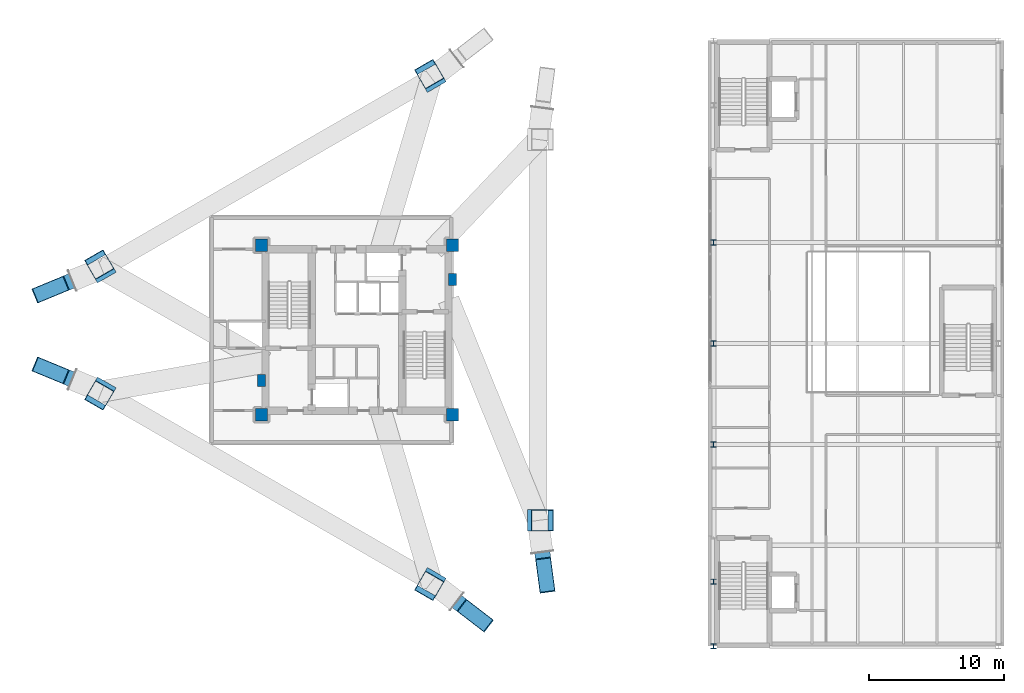
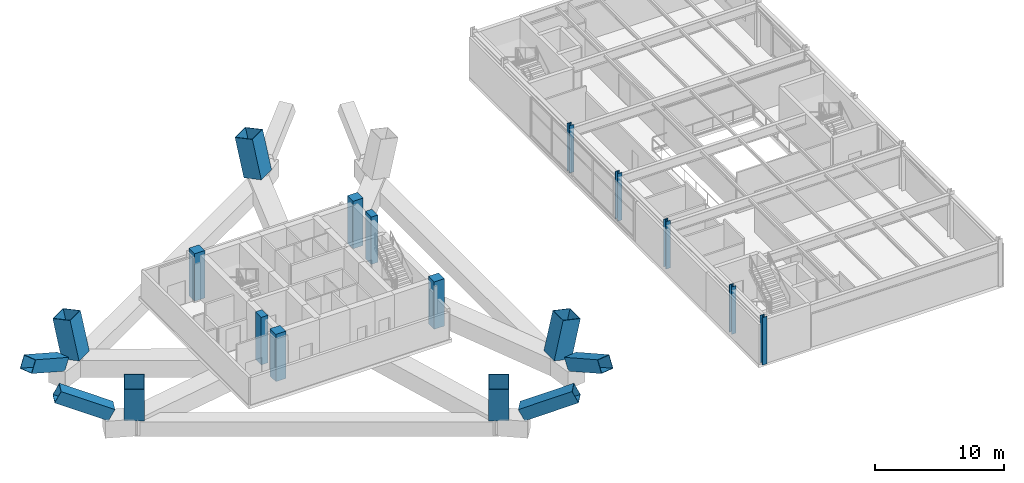
# One storey, part 1 of 16: 20 columns.
"""IFC4 building model written with IfcOpenShell, lengths in metres."""

from ifc_helpers import new_model, si_unit, direction, frame, origin, origin_2d, place, context, subcontext, project, spatial, rectangle, hollow_rectangle, i_section, extrude, material, material_profile, profile_set, type_object, element, save


model = new_model("IFC4")

# Units and contexts
model_context = context("Model", 3, precision=1e-05, world=origin(), true_north=direction((0.0, 1.0)))
body_context = subcontext(model_context, "Body", "Model", "MODEL_VIEW")
ifc_project = project(units=[si_unit("LENGTHUNIT", "METRE"), si_unit("AREAUNIT", "SQUARE_METRE"), si_unit("VOLUMEUNIT", "CUBIC_METRE"), si_unit("PLANEANGLEUNIT", "RADIAN"), si_unit("MASSUNIT", "GRAM", prefix="KILO")], contexts=[model_context])

# Site, building, storey
site_placement = place(None, origin())
site = spatial("IfcSite", under=ifc_project, at=site_placement, CompositionType="ELEMENT")
building_placement = place(site_placement, origin())
building = spatial("IfcBuilding", under=site, at=building_placement, Name="Mersakhor Tower and Convention Hall", CompositionType="ELEMENT")
storey_placement = place(building_placement, frame((0.0, 0.0, 5.10009765625)))
storey = spatial("IfcBuildingStorey", under=building, at=storey_placement, Name="L01", CompositionType="ELEMENT", Elevation=5.10009765625)

# Columns
ifc_material_1 = material(Name="Concrete C60/75 in S460M steel box", Category="concrete")
ifc_material_profile_1 = material_profile(ifc_material_1, hollow_rectangle(XDim=1.14990234375, YDim=1.14990234375, WallThickness=0.031982421875, at=origin_2d()), Name="SHS 1150x1150x32")
ifc_profile_set_1 = profile_set([ifc_material_profile_1], Name="Concrete C60/75 in S460M steel box")
column_type_1 = type_object("IfcColumnType", Name="COL-CFT-1150", PredefinedType="COLUMN", material=ifc_profile_set_1)
column_1_placement = place(storey_placement, frame((8.306396484375, 30.615234375, 0.079833984375), z_axis=(-0.827290267206, -0.341250102068, 0.446250133474), x_axis=(0.381324111184, -0.924441410923, 0.0)))
element("IfcColumn", 1, at=column_1_placement, inside=storey, type_object=column_type_1, Name="L01 Sloping Y-Branch Corner Mega-Column YCL-F1-A", PredefinedType="COLUMN", context=body_context, shape_type="SweptSolid", body=[
    extrude(hollow_rectangle(XDim=1.14990234375, YDim=1.14990234375, WallThickness=0.031982421875, at=origin_2d()), origin(), (0.0, 0.0, 1.0), 4.7060546875),
])
column_2_placement = place(storey_placement, frame((42.694091796875, 10.76171875, 0.079833984375), z_axis=(0.118116764742, -0.887094771128, 0.446218889027), x_axis=(0.991251677926, 0.13198526815, 0.0)))
element("IfcColumn", 2, at=column_2_placement, inside=storey, type_object=column_type_1, Name="L01 Sloping Y-Branch Corner Mega-Column YCL-F2-B", PredefinedType="COLUMN", context=body_context, shape_type="SweptSolid", body=[
    extrude(hollow_rectangle(XDim=1.14990234375, YDim=1.14990234375, WallThickness=0.031982421875, at=origin_2d()), origin(), (0.0, 0.0, 1.0), 4.70654296875),
])
for number, where, z_axis, x_axis, name in (
    (3, (35.99951171875, 6.896240234375, 0.079833984375), (0.709160946247, -0.545851607638, 0.446247436695), (0.609951660333, 0.792438623527, 0.0), "L01 Sloping Y-Branch Corner Mega-Column YCL-F3-A"),
    (4, (8.306396484375, 22.884765625, 0.079833984375), (-0.827290267206, 0.341250102068, 0.446250133474), (-0.381324111184, -0.924441410923, 0.0), "L01 Sloping Y-Branch Corner Mega-Column YCL-F3-B"),
):
    element("IfcColumn", number, at=place(storey_placement, frame(where, z_axis=z_axis, x_axis=x_axis)), inside=storey, type_object=column_type_1, Name=name, PredefinedType="COLUMN", context=body_context, shape_type="SweptSolid", body=[
        extrude(hollow_rectangle(XDim=1.14990234375, YDim=1.14990234375, WallThickness=0.031982421875, at=origin_2d()), origin(), (0.0, 0.0, 1.0), 4.7060546875),
    ])
ifc_material_2 = material(Name="Concrete C70/85 in S460M steel box", Category="concrete")
ifc_material_profile_2 = material_profile(ifc_material_2, hollow_rectangle(XDim=1.60009765625, YDim=1.60009765625, WallThickness=0.0400390625, at=origin_2d()), Name="SHS 1600x1600x40")
ifc_profile_set_2 = profile_set([ifc_material_profile_2], Name="Concrete C70/85 in S460M steel box")
column_type_2 = type_object("IfcColumnType", Name="COL-CFT-1600", PredefinedType="COLUMN", material=ifc_profile_set_2)
for number, where, z_axis, x_axis, name in (
    (5, (10.0166015625, 31.32080078125, -0.300048828125), (-0.109891322811, 0.190397786408, 0.975537072643), (-0.866094119867, -0.499880961361, 0.0), "L01 Sloping Pilotis Mega-Column PIL-F1-1"),
    (6, (34.533203125, 45.475341796875, -0.300048828125), (-0.109891322811, 0.190397786408, 0.975537072643), (-0.866094119867, -0.499880961361, 0.0), "L01 Sloping Pilotis Mega-Column PIL-F1-2"),
    (7, (42.449951171875, 12.595458984375, -0.300048828125), (0.219849021395, 0.0, 0.975533909094), (0.0, 1.0, 0.0), "L01 Sloping Pilotis Mega-Column PIL-F2-2"),
    (8, (34.533203125, 8.024658203125, -0.300048828125), (-0.109891322811, -0.190397786408, 0.975537072643), (0.866094119867, -0.499880961361, 0.0), "L01 Sloping Pilotis Mega-Column PIL-F3-1"),
    (9, (10.0166015625, 22.17919921875, -0.300048828125), (-0.109891322811, -0.190397786408, 0.975537072643), (0.866094119867, -0.499880961361, 0.0), "L01 Sloping Pilotis Mega-Column PIL-F3-2"),
):
    element("IfcColumn", number, at=place(storey_placement, frame(where, z_axis=z_axis, x_axis=x_axis)), inside=storey, type_object=column_type_2, Name=name, PredefinedType="COLUMN", context=body_context, shape_type="SweptSolid", body=[
        extrude(hollow_rectangle(XDim=1.60009765625, YDim=1.60009765625, WallThickness=0.0400390625, at=origin_2d()), origin(), (0.0, 0.0, 1.0), 3.63916015625),
    ])
ifc_material_3 = material(Name="Concrete C60/75", Category="concrete")
ifc_material_profile_3 = material_profile(ifc_material_3, rectangle(XDim=0.89990234375, YDim=0.89990234375, at=origin_2d()), Name="RC 900x900")
ifc_profile_set_3 = profile_set([ifc_material_profile_3], Name="Concrete C60/75")
column_type_3 = type_object("IfcColumnType", Name="COL-RC-900", PredefinedType="COLUMN", material=ifc_profile_set_3)
for number, where, z_axis, x_axis, name in (
    (10, (21.89990234375, 20.449951171875, 0.0), (0.0, 0.0, 1.0), (1.0, 0.0, 0.0), "L01 Core Corner Column CC-1"),
    (11, (21.89990234375, 33.050048828125, 0.0), (0.0, 0.0, 1.0), (1.0, 0.0, 0.0), "L01 Core Corner Column CC-2"),
    (12, (36.10009765625, 33.050048828125, 0.0), (0.0, 0.0, 1.0), (1.0, 0.0, 0.0), "L01 Core Corner Column CC-3"),
    (13, (36.10009765625, 20.449951171875, 0.0), (0.0, 0.0, 1.0), (1.0, 0.0, 0.0), "L01 Core Corner Column CC-4"),
):
    element("IfcColumn", number, at=place(storey_placement, frame(where, z_axis=z_axis, x_axis=x_axis)), inside=storey, type_object=column_type_3, Name=name, PredefinedType="COLUMN", context=body_context, shape_type="SweptSolid", body=[
        extrude(rectangle(XDim=0.89990234375, YDim=0.89990234375, at=origin_2d()), origin(), (0.0, 0.0, 1.0), 4.5),
    ])
ifc_material_4 = material(Name="Steel S355", Category="steel")
ifc_material_profile_4 = material_profile(ifc_material_4, i_section(OverallWidth=0.39892578125, OverallDepth=0.3935546875, WebThickness=0.022705078125, FlangeThickness=0.03662109375, at=origin_2d()), Name="UC 356x406x287")
ifc_profile_set_4 = profile_set([ifc_material_profile_4], Name="Steel S355")
column_type_4 = type_object("IfcColumnType", Name="COL-STL-UC356", PredefinedType="COLUMN", material=ifc_profile_set_4)
for number, where, z_axis, x_axis, name in (
    (14, (55.5, 3.25, 0.0), (0.0, 0.0, 1.0), (1.0, 0.0, 0.0), "Convention L01 Perimeter Column SC-W1"),
    (15, (55.5, 8.050048828125, 0.0), (0.0, 0.0, 1.0), (1.0, 0.0, 0.0), "Convention L01 Perimeter Column SC-W2"),
    (16, (55.5, 18.25, 0.0), (0.0, 0.0, 1.0), (1.0, 0.0, 0.0), "Convention L01 Perimeter Column SC-W3"),
    (17, (55.5, 25.75, 0.0), (0.0, 0.0, 1.0), (1.0, 0.0, 0.0), "Convention L01 Perimeter Column SC-W4"),
    (18, (55.5, 33.25, 0.0), (0.0, 0.0, 1.0), (1.0, 0.0, 0.0), "Convention L01 Perimeter Column SC-W5"),
):
    element("IfcColumn", number, at=place(storey_placement, frame(where, z_axis=z_axis, x_axis=x_axis)), inside=storey, type_object=column_type_4, Name=name, PredefinedType="COLUMN", context=body_context, shape_type="SweptSolid", body=[
        extrude(i_section(OverallWidth=0.39892578125, OverallDepth=0.3935546875, WebThickness=0.022705078125, FlangeThickness=0.03662109375, at=origin_2d()), origin(), (0.0, 0.0, 1.0), 4.5),
    ])
ifc_material_5 = material(Name="Concrete C50/60", Category="concrete")
ifc_material_profile_5 = material_profile(ifc_material_5, rectangle(XDim=0.60009765625, YDim=0.89990234375, at=origin_2d()), Name="RC 600x900")
ifc_profile_set_5 = profile_set([ifc_material_profile_5], Name="Concrete C50/60")
column_type_5 = type_object("IfcColumnType", Name="PIL-RC-600x900", PredefinedType="PILASTER", material=ifc_profile_set_5)
for number, where, z_axis, x_axis, name in (
    (19, (21.89990234375, 23.0, 0.0), (0.0, 0.0, 1.0), (1.0, 0.0, 0.0), "L01 Core Wall Pilaster CP-1"),
    (20, (36.10009765625, 30.5, 0.0), (0.0, 0.0, 1.0), (1.0, 0.0, 0.0), "L01 Core Wall Pilaster CP-2"),
):
    element("IfcColumn", number, at=place(storey_placement, frame(where, z_axis=z_axis, x_axis=x_axis)), inside=storey, type_object=column_type_5, Name=name, PredefinedType="PILASTER", context=body_context, shape_type="SweptSolid", body=[
        extrude(rectangle(XDim=0.60009765625, YDim=0.89990234375, at=origin_2d()), origin(), (0.0, 0.0, 1.0), 4.5),
    ])

save(model, "model.ifc")
